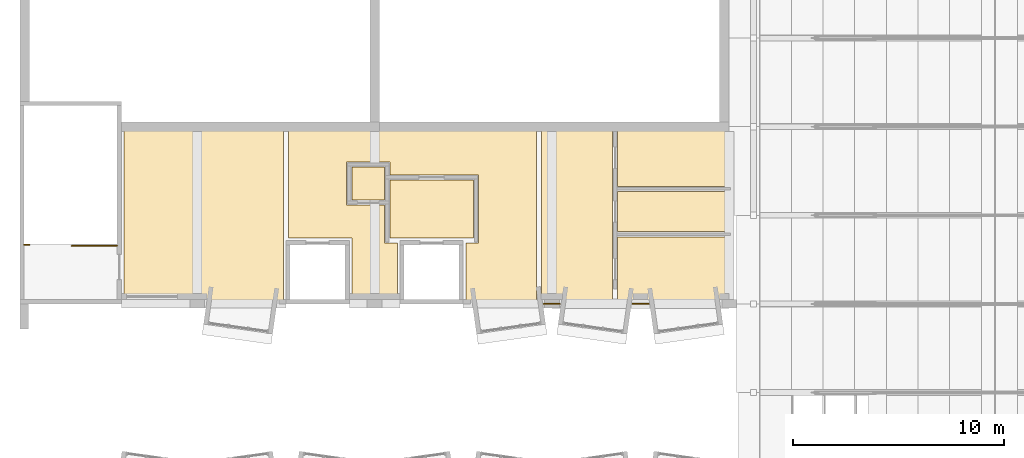
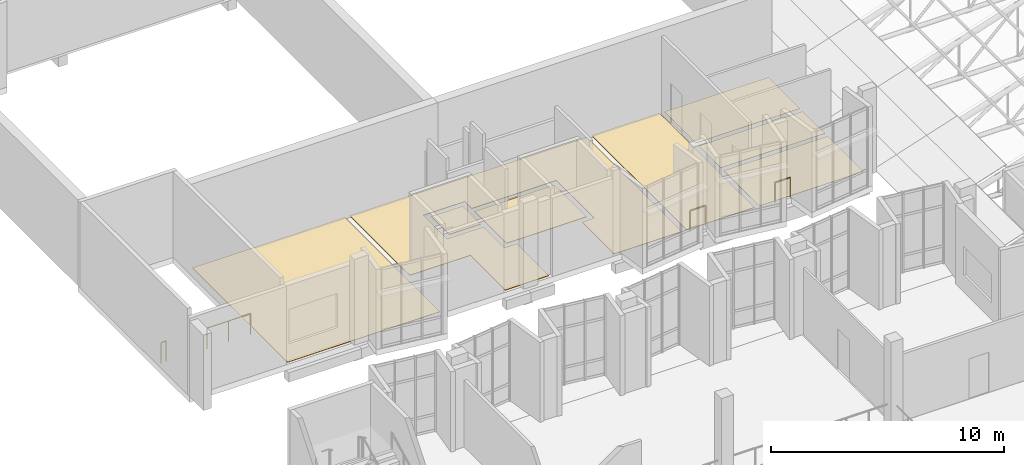
# One storey, part 94 of 95: 8 coverings, 4 railings.
"""IFC4 building model written with IfcOpenShell, lengths in metres."""

import ifcopenshell
import ifcopenshell.guid

model = None  # the IFC model being written
_history = None  # IfcOwnerHistory: only IFC2X3 demands one
_inside = {}  # id of a spatial element -> (the spatial element, [elements in it])
_under = {}  # id of a project, library or spatial element -> (it, [spatial elements below it])
_declared = {}  # id of a project -> (the project, [libraries it declares])
_typed = {}  # id of a type object -> (the type object, [elements of that type])
_made_of = {}  # id of a material, layer set ... -> (it, [elements and type objects made of it])


def new_model(schema):
    """Start an empty IFC model of exactly this schema.

    Asked for "IFC4X3", IfcOpenShell would pick the latest addendum, in which some entities
    have other attributes; the version numbers below select the first issue.
    IFC2X3 requires an IfcOwnerHistory on every rooted entity: one is made here for all.
    """
    global model, _history
    if schema == "IFC4X3":
        model = ifcopenshell.file(schema_version=(4, 3, 0, 0))
    else:
        model = ifcopenshell.file(schema=schema)
    _inside.clear()
    _under.clear()
    _declared.clear()
    _typed.clear()
    _made_of.clear()
    _history = None
    if model.schema == "IFC2X3":
        org = make("IfcOrganization", Name="unknown")
        user = make(
            "IfcPersonAndOrganization",
            ThePerson=make("IfcPerson", FamilyName="unknown"),
            TheOrganization=org,
        )
        app = make(
            "IfcApplication",
            ApplicationDeveloper=org,
            Version="unknown",
            ApplicationFullName="unknown",
            ApplicationIdentifier="unknown",
        )
        _history = make(
            "IfcOwnerHistory",
            OwningUser=user,
            OwningApplication=app,
            ChangeAction="ADDED",
            CreationDate=0,
        )
    return model


def make(cls, **values):
    """One entity of the class cls with the attributes given. An attribute that is None is left unset."""
    return model.create_entity(
        cls, **{name: value for name, value in values.items() if value is not None}
    )


def rooted(cls, **values):
    """An entity with a GlobalId (a new one), such as an element, a storey or a relation."""
    return make(cls, GlobalId=ifcopenshell.guid.new(), OwnerHistory=_history, **values)


def si_unit(unit_type, name, prefix=None):
    """IfcSIUnit, for example si_unit("LENGTHUNIT", "METRE", prefix="MILLI")."""
    return make("IfcSIUnit", UnitType=unit_type, Prefix=prefix, Name=name)


def assignment(units):
    """IfcUnitAssignment: the units of a project."""
    return None if units is None else make("IfcUnitAssignment", Units=units)


def point(xyz):
    """IfcCartesianPoint."""
    return None if xyz is None else make("IfcCartesianPoint", Coordinates=xyz)


def direction(xyz):
    """IfcDirection."""
    return None if xyz is None else make("IfcDirection", DirectionRatios=xyz)


def frame(location, z_axis=None, x_axis=None):
    """IfcAxis2Placement3D, a coordinate frame: its origin and axes. An axis left out is left unset."""
    return make(
        "IfcAxis2Placement3D",
        Location=point(location),
        Axis=direction(z_axis),
        RefDirection=direction(x_axis),
    )


def frame_2d(location, x_axis=None):
    """IfcAxis2Placement2D, a coordinate frame in the plane: its origin and x axis."""
    return make(
        "IfcAxis2Placement2D", Location=point(location), RefDirection=direction(x_axis)
    )


def origin():
    """The frame at (0, 0, 0) with its axes left unset."""
    return frame((0.0, 0.0, 0.0))


def origin_2d():
    """The frame at (0, 0) in the plane with its x axis left unset."""
    return frame_2d((0.0, 0.0))


def place(relative_to, where):
    """IfcLocalPlacement: puts the frame where relative to a parent placement (None: the world)."""
    return make(
        "IfcLocalPlacement", PlacementRelTo=relative_to, RelativePlacement=where
    )


def context(
    kind, dimensions, precision=None, world=None, true_north=None, identifier=None
):
    """IfcGeometricRepresentationContext, for example the 3D "Model" context."""
    return make(
        "IfcGeometricRepresentationContext",
        ContextIdentifier=identifier,
        ContextType=kind,
        CoordinateSpaceDimension=dimensions,
        Precision=precision,
        WorldCoordinateSystem=world,
        TrueNorth=true_north,
    )


def subcontext(parent, identifier, kind, view, scale=None):
    """IfcGeometricRepresentationSubContext, for example "Body" below "Model"."""
    return make(
        "IfcGeometricRepresentationSubContext",
        ContextIdentifier=identifier,
        ContextType=kind,
        ParentContext=parent,
        TargetScale=scale,
        TargetView=view,
    )


def project(units=None, contexts=None):
    """IfcProject with its units and contexts."""
    return rooted(
        "IfcProject",
        Name="project",
        RepresentationContexts=contexts,
        UnitsInContext=assignment(units),
    )


def spatial(cls, under=None, at=None, **own):
    """A site, building, storey or space (cls), placed at a placement, below another one or the project."""
    s = rooted(cls, ObjectPlacement=at, **own)
    if under is not None:
        _under.setdefault(under.id(), (under, []))[1].append(s)
    return s


def polyline(points):
    """IfcPolyline through the points."""
    return make("IfcPolyline", Points=[point(p) for p in points])


def profile(cls, at=None, kind="AREA", **sizes):
    """A parametric profile (cls). Its sizes go by their IFC names, for example OverallWidth=200.0."""
    return make(cls, ProfileType=kind, Position=at, **sizes)


def circle(**sizes):
    """IfcCircleProfileDef."""
    return profile("IfcCircleProfileDef", **sizes)


def outline(outer, holes=None, kind="AREA"):
    """IfcArbitraryClosedProfileDef: a profile drawn as a closed curve; with holes, ...WithVoids."""
    if holes is None:
        return make("IfcArbitraryClosedProfileDef", ProfileType=kind, OuterCurve=outer)
    return make(
        "IfcArbitraryProfileDefWithVoids",
        ProfileType=kind,
        OuterCurve=outer,
        InnerCurves=holes,
    )


def extrude(swept, where, along, depth):
    """IfcExtrudedAreaSolid: the profile swept, set in the frame where, extruded along a direction by depth."""
    return make(
        "IfcExtrudedAreaSolid",
        SweptArea=swept,
        Position=where,
        ExtrudedDirection=direction(along),
        Depth=depth,
    )


def shape(context_of_items, identifier, shape_type, items):
    """IfcShapeRepresentation: the items that make up one representation, for example the "Body"."""
    return make(
        "IfcShapeRepresentation",
        ContextOfItems=context_of_items,
        RepresentationIdentifier=identifier,
        RepresentationType=shape_type,
        Items=items,
    )


def material(Name=None, Category=None):
    """IfcMaterial."""
    return make("IfcMaterial", Name=Name, Category=Category)


def layer(
    of_material, thickness, ventilated=None, Name=None, Category=None, Priority=None
):
    """IfcMaterialLayer: one layer of a wall or slab, of a material (None: an air gap)."""
    return make(
        "IfcMaterialLayer",
        Material=of_material,
        LayerThickness=thickness,
        IsVentilated=ventilated,
        Name=Name,
        Category=Category,
        Priority=Priority,
    )


def layer_set(layers, Name=None):
    """IfcMaterialLayerSet."""
    return make("IfcMaterialLayerSet", MaterialLayers=layers, LayerSetName=Name)


def made_of(thing, what):
    """Note that an element or type object is made of a material, layer set ...; save() writes the relation."""
    if what is not None:
        _made_of.setdefault(what.id(), (what, []))[1].append(thing)
    return thing


def type_object(cls, material=None, **own):
    """A type object (cls), such as IfcWallType, which elements share."""
    return made_of(rooted(cls, **own), material)


def element(
    cls,
    number,
    at=None,
    inside=None,
    cuts=None,
    type_object=None,
    material=None,
    context=None,
    identifier="Body",
    shape_type=None,
    held_by="IfcProductDefinitionShape",
    body=None,
    shapes=None,
    **own,
):
    """One element of the class cls, such as IfcWall. Its Tag is "e" and its number.

    at: its placement. inside: the storey or other place that contains it. cuts: it is an
    opening in that element (IfcRelVoidsElement). A single representation is given by context,
    identifier, shape_type and body (its items); several are given by shapes. held_by: the class
    of the entity that holds the representations. save() writes the other relations.
    """
    e = rooted(cls, Tag="e%d" % number, ObjectPlacement=at, **own)
    if body is not None:
        shapes = [shape(context, identifier, shape_type, body)]
    if shapes is not None:
        e.Representation = make(held_by, Representations=shapes)
    if inside is not None:
        _inside.setdefault(inside.id(), (inside, []))[1].append(e)
    if cuts is not None:
        rooted(
            "IfcRelVoidsElement", RelatingBuildingElement=cuts, RelatedOpeningElement=e
        )
    if type_object is not None:
        _typed.setdefault(type_object.id(), (type_object, []))[1].append(e)
    return made_of(e, material)


def aggregate(whole, parts):
    """IfcRelAggregates: a whole, such as a stair, and the parts it consists of."""
    return rooted("IfcRelAggregates", RelatingObject=whole, RelatedObjects=parts)


def save(model, path):
    """Write the relations noted so far, then the file.

    IfcRelAggregates (storeys below a building ...), IfcRelContainedInSpatialStructure (elements
    in a storey), IfcRelDefinesByType, IfcRelAssociatesMaterial and IfcRelDeclares: one each for
    every whole, place, type object, material and project.
    """
    for whole, parts in _under.values():
        aggregate(whole, parts)
    for where, things in _inside.values():
        rooted(
            "IfcRelContainedInSpatialStructure",
            RelatedElements=things,
            RelatingStructure=where,
        )
    for kind, things in _typed.values():
        rooted("IfcRelDefinesByType", RelatedObjects=things, RelatingType=kind)
    for what, things in _made_of.values():
        rooted("IfcRelAssociatesMaterial", RelatedObjects=things, RelatingMaterial=what)
    for by, libraries in _declared.values():
        rooted("IfcRelDeclares", RelatingContext=by, RelatedDefinitions=libraries)
    model.write(path)


model = new_model("IFC4")

# Units and contexts
model_context = context("Model", 3, precision=1e-05, world=origin(), true_north=direction((0.0, 1.0)))
body_context = subcontext(model_context, "Body", "Model", "MODEL_VIEW")
ifc_project = project(units=[si_unit("LENGTHUNIT", "METRE"), si_unit("AREAUNIT", "SQUARE_METRE"), si_unit("VOLUMEUNIT", "CUBIC_METRE"), si_unit("PLANEANGLEUNIT", "RADIAN"), si_unit("MASSUNIT", "GRAM", prefix="KILO")], contexts=[model_context])

# Site, building, storey
site_placement = place(None, origin())
site = spatial("IfcSite", under=ifc_project, at=site_placement, CompositionType="ELEMENT")
building_placement = place(site_placement, origin())
building = spatial("IfcBuilding", under=site, at=building_placement, Name="Kiln Court Media Centre", CompositionType="ELEMENT")
storey_placement = place(building_placement, frame((0.0, 0.0, 24.60009765625)))
storey = spatial("IfcBuildingStorey", under=building, at=storey_placement, Name="L05", CompositionType="ELEMENT", Elevation=24.60009765625)

# Coverings
ifc_material_1 = material(Name="Ceramic tile")
ifc_layer_1 = layer(ifc_material_1, 0.011962890625)
ifc_layer_set_1 = layer_set([ifc_layer_1], Name="Ceramic tile floor finish 12")
covering_type_1 = type_object("IfcCoveringType", Name="Ceramic tile floor finish 12", PredefinedType="FLOORING", material=ifc_layer_set_1)
covering_1_placement = place(storey_placement, origin())
element("IfcCovering", 1, at=covering_1_placement, inside=storey, type_object=covering_type_1, Name="Women's WC floor finish", PredefinedType="FLOORING", context=body_context, shape_type="SweptSolid", body=[
    extrude(outline(polyline([(33.47998046875, 33.719970703125), (33.47998046875, 36.780029296875), (28.320068359375, 36.780029296875), (28.320068359375, 33.719970703125), (33.47998046875, 33.719970703125)])), origin(), (0.0, 0.0, 1.0), 0.011962890625),
])
covering_2_placement = place(storey_placement, origin())
element("IfcCovering", 2, at=covering_2_placement, inside=storey, type_object=covering_type_1, Name="Men's WC floor finish", PredefinedType="FLOORING", context=body_context, shape_type="SweptSolid", body=[
    extrude(outline(polyline([(33.47998046875, 37.02001953125), (33.47998046875, 38.929931640625), (28.320068359375, 38.929931640625), (28.320068359375, 37.02001953125), (33.47998046875, 37.02001953125)])), origin(), (0.0, 0.0, 1.0), 0.011962890625),
])
covering_3_placement = place(storey_placement, origin())
element("IfcCovering", 3, at=covering_3_placement, inside=storey, type_object=covering_type_1, Name="Accessible WC floor finish", PredefinedType="FLOORING", context=body_context, shape_type="SweptSolid", body=[
    extrude(outline(polyline([(33.47998046875, 39.169921875), (33.47998046875, 41.8798828125), (28.320068359375, 41.8798828125), (28.320068359375, 39.169921875), (33.47998046875, 39.169921875)])), origin(), (0.0, 0.0, 1.0), 0.011962890625),
])
ifc_material_2 = material(Name="Engineered timber", Category="wood")
ifc_layer_2 = layer(ifc_material_2, 0.02001953125)
ifc_layer_set_2 = layer_set([ifc_layer_2], Name="Engineered timber floor finish 20")
covering_type_2 = type_object("IfcCoveringType", Name="Engineered timber floor finish 20", PredefinedType="FLOORING", material=ifc_layer_set_2)
covering_4_placement = place(storey_placement, origin())
element("IfcCovering", 4, at=covering_4_placement, inside=storey, type_object=covering_type_2, Name="Cinema Lounge floor finish", PredefinedType="FLOORING", context=body_context, shape_type="SweptSolid", body=[
    extrude(outline(polyline([(12.47998046875, 41.8798828125), (4.919921875, 41.8798828125), (4.919921875, 33.719970703125), (12.47998046875, 33.719970703125), (12.47998046875, 41.8798828125)])), origin(), (0.0, 0.0, 1.0), 0.02001953125),
])
ifc_material_3 = material(Name="Terrazzo")
ifc_layer_3 = layer(ifc_material_3, 0.02490234375)
ifc_layer_set_3 = layer_set([ifc_layer_3], Name="Polished terrazzo floor finish 25")
covering_type_3 = type_object("IfcCoveringType", Name="Polished terrazzo floor finish 25", PredefinedType="FLOORING", material=ifc_layer_set_3)
covering_5_placement = place(storey_placement, origin())
element("IfcCovering", 5, at=covering_5_placement, inside=storey, type_object=covering_type_3, Name="Mezzanine Lobby floor finish", PredefinedType="FLOORING", context=body_context, shape_type="SweptSolid", body=[
    extrude(outline(polyline([(17.280029296875, 36.47998046875), (17.280029296875, 38.280029296875), (15.47998046875, 38.280029296875), (15.47998046875, 40.320068359375), (17.52001953125, 40.320068359375), (17.52001953125, 39.719970703125), (21.719970703125, 39.719970703125), (21.719970703125, 36.47998046875), (21.1201171875, 36.47998046875), (21.1201171875, 33.719970703125), (24.47998046875, 33.719970703125), (24.47998046875, 41.8798828125), (12.719970703125, 41.8798828125), (12.719970703125, 36.719970703125), (15.719970703125, 36.719970703125), (15.719970703125, 33.719970703125), (17.8798828125, 33.719970703125), (17.8798828125, 36.47998046875), (17.280029296875, 36.47998046875)])), origin(), (0.0, 0.0, 1.0), 0.02490234375),
])
covering_6_placement = place(storey_placement, origin())
element("IfcCovering", 6, at=covering_6_placement, inside=storey, type_object=covering_type_3, Name="Toilet Lobby floor finish", PredefinedType="FLOORING", context=body_context, shape_type="SweptSolid", body=[
    extrude(outline(polyline([(28.080078125, 33.719970703125), (28.080078125, 41.8798828125), (24.719970703125, 41.8798828125), (24.719970703125, 33.719970703125), (28.080078125, 33.719970703125)])), origin(), (0.0, 0.0, 1.0), 0.02490234375),
])
covering_7_placement = place(storey_placement, origin())
element("IfcCovering", 7, at=covering_7_placement, inside=storey, type_object=covering_type_3, Name="Fire-fighting Lift Lobby floor finish", PredefinedType="FLOORING", context=body_context, shape_type="SweptSolid", body=[
    extrude(outline(polyline([(17.52001953125, 36.719970703125), (21.47998046875, 36.719970703125), (21.47998046875, 39.47998046875), (17.52001953125, 39.47998046875), (17.52001953125, 36.719970703125)])), origin(), (0.0, 0.0, 1.0), 0.02490234375),
])
covering_8_placement = place(storey_placement, origin())
element("IfcCovering", 8, at=covering_8_placement, inside=storey, type_object=covering_type_3, Name="Wheelchair Refuge floor finish", PredefinedType="FLOORING", context=body_context, shape_type="SweptSolid", body=[
    extrude(outline(polyline([(15.719970703125, 38.52001953125), (17.280029296875, 38.52001953125), (17.280029296875, 40.080078125), (15.719970703125, 40.080078125), (15.719970703125, 38.52001953125)])), origin(), (0.0, 0.0, 1.0), 0.02490234375),
])

# Railings
ifc_material_4 = material(Name="Steel S275", Category="steel")
railing_type_1 = type_object("IfcRailingType", Name="Steel S275 balustrade guard 1100", PredefinedType="GUARDRAIL", material=ifc_material_4)
railing_1_placement = place(storey_placement, frame((29.7822265625, 33.599609375, 0.0)))
element("IfcRailing", 9, at=railing_1_placement, inside=storey, type_object=railing_type_1, Name="L05 slab notch guard", PredefinedType="GUARDRAIL", context=body_context, shape_type="SweptSolid", body=[
    extrude(circle(Radius=0.02392578125, at=origin_2d()), frame((0.0, 0.0, 1.076171875), z_axis=(-1.0, 0.0, 0.0), x_axis=(0.0, -1.0, 0.0)), (0.0, 0.0, 1.0), 0.7646484375),
    extrude(circle(Radius=0.02099609375, at=origin_2d()), origin(), (0.0, 0.0, 1.0), 1.052001953125),
    extrude(circle(Radius=0.02099609375, at=origin_2d()), frame((-0.7646484375, 0.0, 0.0)), (0.0, 0.0, 1.0), 1.052001953125),
])
railing_2_placement = place(storey_placement, frame((25.582275390625, 33.599609375, 0.0)))
element("IfcRailing", 10, at=railing_2_placement, inside=storey, type_object=railing_type_1, Name="L05 slab notch guard", PredefinedType="GUARDRAIL", context=body_context, shape_type="SweptSolid", body=[
    extrude(circle(Radius=0.02392578125, at=origin_2d()), frame((0.0, 0.0, 1.076171875), z_axis=(-1.0, 0.0, 0.0), x_axis=(0.0, -1.0, 0.0)), (0.0, 0.0, 1.0), 0.764404296875),
    extrude(circle(Radius=0.02099609375, at=origin_2d()), origin(), (0.0, 0.0, 1.0), 1.052001953125),
    extrude(circle(Radius=0.02099609375, at=origin_2d()), frame((-0.764404296875, 0.0, 0.0)), (0.0, 0.0, 1.0), 1.052001953125),
])
ifc_material_5 = material(Name="Steel S275", Category="steel")
railing_type_2 = type_object("IfcRailingType", Name="Steel S275 stair guard 1100", PredefinedType="GUARDRAIL", material=ifc_material_5)
railing_3_placement = place(storey_placement, frame((0.449951171875, 36.39990234375, 0.0)))
element("IfcRailing", 11, at=railing_3_placement, inside=storey, type_object=railing_type_2, Name="ST-06 landing edge guard", PredefinedType="GUARDRAIL", context=body_context, shape_type="SweptSolid", body=[
    extrude(circle(Radius=0.02392578125, at=origin_2d()), frame((0.0, 0.0, 1.076171875), z_axis=(-1.0, 0.0, 0.0), x_axis=(0.0, -1.0, 0.0)), (0.0, 0.0, 1.0), 0.25),
    extrude(circle(Radius=0.02099609375, at=origin_2d()), origin(), (0.0, 0.0, 1.0), 1.052001953125),
    extrude(circle(Radius=0.02099609375, at=origin_2d()), frame((-0.25, 0.0, 0.0)), (0.0, 0.0, 1.0), 1.052001953125),
])
railing_4_placement = place(storey_placement, frame((4.60009765625, 36.35009765625, 0.0)))
element("IfcRailing", 12, at=railing_4_placement, inside=storey, type_object=railing_type_2, Name="ST-06 top floor guard", PredefinedType="GUARDRAIL", context=body_context, shape_type="SweptSolid", body=[
    extrude(circle(Radius=0.02392578125, at=origin_2d()), frame((0.0, 0.0, 1.076171875), z_axis=(-1.0, 0.0, 0.0), x_axis=(0.0, -1.0, 0.0)), (0.0, 0.0, 1.0), 2.150146484375),
    extrude(circle(Radius=0.02099609375, at=origin_2d()), origin(), (0.0, 0.0, 1.0), 1.052001953125),
    extrude(circle(Radius=0.02099609375, at=origin_2d()), frame((-1.0751953125, 0.0, 0.0)), (0.0, 0.0, 1.0), 1.052001953125),
    extrude(circle(Radius=0.02099609375, at=origin_2d()), frame((-2.150146484375, 0.0, 0.0)), (0.0, 0.0, 1.0), 1.052001953125),
])

save(model, "model.ifc")
